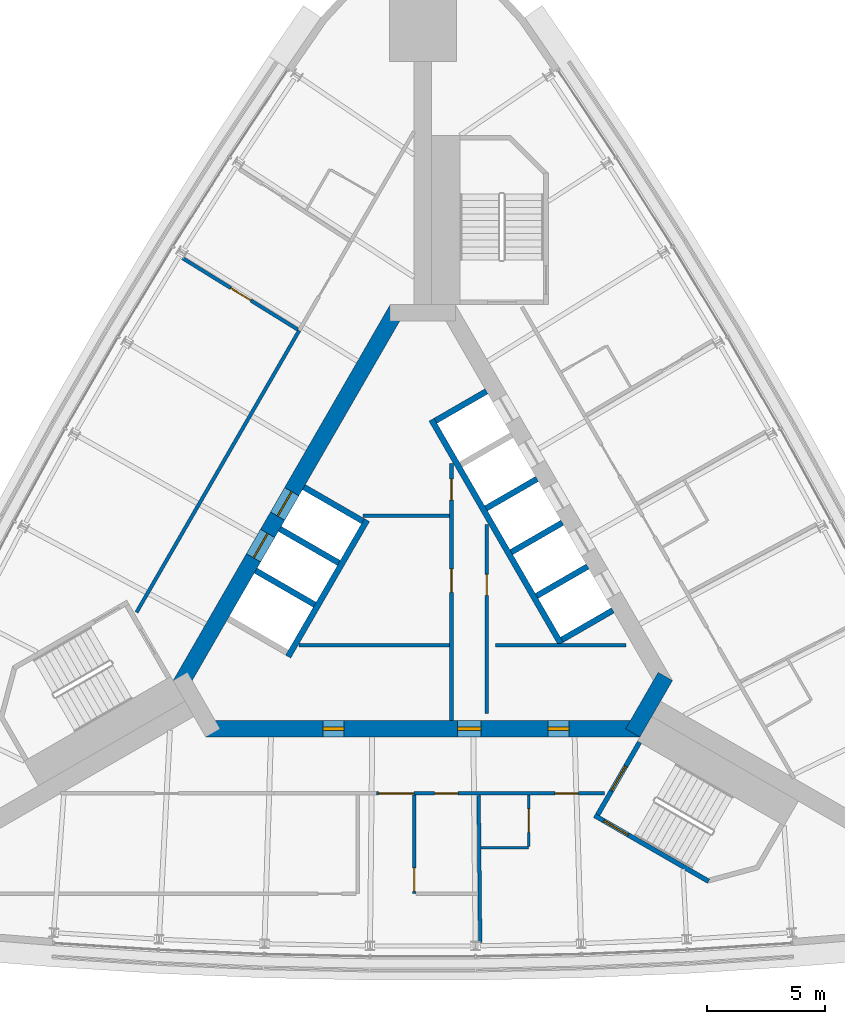
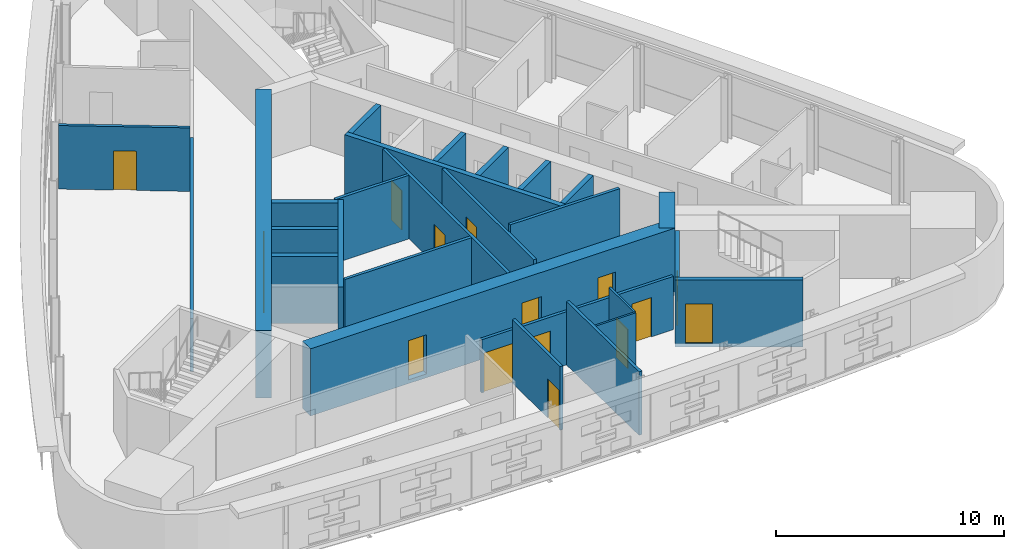
# One storey, part 8 of 12: 27 walls, 16 doors, 16 openings.
"""IFC4 building model written with IfcOpenShell, lengths in metres."""

from ifc_helpers import new_model, si_unit, direction, frame, frame_2d, origin, place, context, subcontext, project, spatial, rectangle, extrude, material, layer, layer_set, type_object, element, fill, save


model = new_model("IFC4")

# Units and contexts
model_context = context("Model", 3, precision=1e-05, world=origin(), true_north=direction((0.0, 1.0)))
body_context = subcontext(model_context, "Body", "Model", "MODEL_VIEW")
ifc_project = project(units=[si_unit("LENGTHUNIT", "METRE"), si_unit("AREAUNIT", "SQUARE_METRE"), si_unit("VOLUMEUNIT", "CUBIC_METRE"), si_unit("PLANEANGLEUNIT", "RADIAN"), si_unit("MASSUNIT", "GRAM", prefix="KILO")], contexts=[model_context])

# Site, building, storey
site_placement = place(None, origin())
site = spatial("IfcSite", under=ifc_project, at=site_placement, CompositionType="ELEMENT")
building_placement = place(site_placement, origin())
building = spatial("IfcBuilding", under=site, at=building_placement, Name="Noor Cloister Tower", CompositionType="ELEMENT")
storey_placement = place(building_placement, frame((0.0, 0.0, 161.699951171875)))
storey = spatial("IfcBuildingStorey", under=building, at=storey_placement, Name="L41", CompositionType="ELEMENT", Elevation=161.699951171875)

# Walls
ifc_material_1 = material(Name="Concrete C30/37", Category="concrete")
ifc_layer_1 = layer(ifc_material_1, 0.14990234375)
ifc_layer_set_1 = layer_set([ifc_layer_1], Name="Core partition 150 C30/37")
wall_type_1 = type_object("IfcWallType", Name="Core partition 150 C30/37", PredefinedType="PARTITIONING", material=ifc_layer_set_1)
wall_1_placement = place(storey_placement, frame((-5.2578125, -3.0283203125, 0.0), z_axis=(0.0, 0.0, 1.0), x_axis=(1.0, 0.0, 0.0)))
element("IfcWall", 1, at=wall_1_placement, inside=storey, type_object=wall_type_1, Name="Core room partition L41 1", PredefinedType="PARTITIONING", context=body_context, shape_type="SweptSolid", body=[
    extrude(rectangle(XDim=6.404052734375, YDim=0.14990234375, at=frame_2d((3.2021484375, 0.0))), origin(), (0.0, 0.0, 1.0), 3.400146484375),
])
wall_2_placement = place(storey_placement, frame((-2.55126953125, 2.4716796875, 0.0), z_axis=(0.0, 0.0, 1.0), x_axis=(1.0, 0.0, 0.0)))
element("IfcWall", 2, at=wall_2_placement, inside=storey, type_object=wall_type_1, Name="Core room partition L41 2", PredefinedType="PARTITIONING", context=body_context, shape_type="SweptSolid", body=[
    extrude(rectangle(XDim=3.697509765625, YDim=0.14990234375, at=frame_2d((1.8486328125, 0.0))), origin(), (0.0, 0.0, 1.0), 3.400146484375),
])

# Wall, openings, doors
wall_3_placement = place(storey_placement, frame((1.22119140625, 4.711181640625, 0.0), z_axis=(0.0, 0.0, 1.0), x_axis=(0.0, -1.0, 0.0)))
wall_3 = element("IfcWall", 3, at=wall_3_placement, inside=storey, type_object=wall_type_1, Name="Core room partition L41 3", PredefinedType="PARTITIONING", context=body_context, shape_type="SweptSolid", body=[
    extrude(rectangle(XDim=10.939453125, YDim=0.14990234375, at=frame_2d((5.4697265625, 0.0))), origin(), (0.0, 0.0, 1.0), 3.400146484375),
])
opening_1_placement = place(wall_3_placement, frame((4.4892578125, 0.0, 0.0)))
opening_1 = element("IfcOpeningElement", 4, at=opening_1_placement, cuts=wall_3, Name="Opening L41-904", PredefinedType="OPENING", context=body_context, shape_type="SweptSolid", body=[
    extrude(rectangle(XDim=1.0, YDim=2.10009765625, at=frame_2d((0.5, 1.050048828125))), frame((0.0, 0.0849609375, 0.0), z_axis=(0.0, -1.0, 0.0), x_axis=(1.0, 0.0, 0.0)), (0.0, 0.0, 1.0), 0.169921875),
])
opening_2_placement = place(wall_3_placement, frame((0.670654296875, 0.0, 0.0)))
opening_2 = element("IfcOpeningElement", 5, at=opening_2_placement, cuts=wall_3, Name="Opening L41-906", PredefinedType="OPENING", context=body_context, shape_type="SweptSolid", body=[
    extrude(rectangle(XDim=0.89990234375, YDim=2.10009765625, at=frame_2d((0.449951171875, 1.050048828125))), frame((0.0, 0.0849609375, 0.0), z_axis=(0.0, -1.0, 0.0), x_axis=(1.0, 0.0, 0.0)), (0.0, 0.0, 1.0), 0.169921875),
])
ifc_material_2 = material(Name="Steel", Category="steel")
door_type_1 = type_object("IfcDoorType", Name="Core door 1000 x 2100 FD60", OperationType="SINGLE_SWING_LEFT", PredefinedType="DOOR", material=ifc_material_2)
door_1_placement = place(opening_1_placement, origin())
door_1 = element("IfcDoor", 6, at=door_1_placement, inside=storey, type_object=door_type_1, Name="Core door 4 L41", OperationType="SINGLE_SWING_RIGHT", OverallHeight=2.10009765625, OverallWidth=1.0, PredefinedType="DOOR", context=body_context, shape_type="SweptSolid", body=[
    extrude(rectangle(XDim=1.0, YDim=2.10009765625, at=frame_2d((0.5, 1.050048828125))), frame((0.0, 0.02490234375, 0.0), z_axis=(0.0, -1.0, 0.0), x_axis=(1.0, 0.0, 0.0)), (0.0, 0.0, 1.0), 0.050048828125),
])
fill(opening_1, door_1)
ifc_material_3 = material(Name="Steel", Category="steel")
door_type_2 = type_object("IfcDoorType", Name="Core door 900 x 2100 FD120", OperationType="SINGLE_SWING_LEFT", PredefinedType="DOOR", material=ifc_material_3)
door_2_placement = place(opening_2_placement, origin())
door_2 = element("IfcDoor", 7, at=door_2_placement, inside=storey, type_object=door_type_2, Name="Core door 6 L41", OperationType="SINGLE_SWING_RIGHT", OverallHeight=2.10009765625, OverallWidth=0.89990234375, PredefinedType="DOOR", context=body_context, shape_type="SweptSolid", body=[
    extrude(rectangle(XDim=0.89990234375, YDim=2.10009765625, at=frame_2d((0.449951171875, 1.050048828125))), frame((0.0, 0.02490234375, 0.0), z_axis=(0.0, -1.0, 0.0), x_axis=(1.0, 0.0, 0.0)), (0.0, 0.0, 1.0), 0.050048828125),
])
fill(opening_2, door_2)

# Wall, opening, door
wall_4_placement = place(storey_placement, frame((2.72119140625, -5.92822265625, 0.0), z_axis=(0.0, 0.0, 1.0), x_axis=(0.0, 1.0, 0.0)))
wall_4 = element("IfcWall", 8, at=wall_4_placement, inside=storey, type_object=wall_type_1, Name="Core room partition L41 4", PredefinedType="PARTITIONING", context=body_context, shape_type="SweptSolid", body=[
    extrude(rectangle(XDim=8.041259765625, YDim=0.14990234375, at=frame_2d((4.0205078125, 0.0))), origin(), (0.0, 0.0, 1.0), 3.400146484375),
])
opening_3_placement = place(wall_4_placement, frame((5.01953125, 0.0, 0.0)))
opening_3 = element("IfcOpeningElement", 9, at=opening_3_placement, cuts=wall_4, Name="Opening L41-905", PredefinedType="OPENING", context=body_context, shape_type="SweptSolid", body=[
    extrude(rectangle(XDim=0.89990234375, YDim=2.10009765625, at=frame_2d((0.449951171875, 1.050048828125))), frame((0.0, 0.0849609375, 0.0), z_axis=(0.0, -1.0, 0.0), x_axis=(1.0, 0.0, 0.0)), (0.0, 0.0, 1.0), 0.169921875),
])
ifc_material_4 = material(Name="Steel", Category="steel")
door_type_3 = type_object("IfcDoorType", Name="Core door 900 x 2100 FD60", OperationType="SINGLE_SWING_LEFT", PredefinedType="DOOR", material=ifc_material_4)
door_3_placement = place(opening_3_placement, origin())
door_3 = element("IfcDoor", 10, at=door_3_placement, inside=storey, type_object=door_type_3, Name="Core door 5 L41", OperationType="SINGLE_SWING_LEFT", OverallHeight=2.10009765625, OverallWidth=0.89990234375, PredefinedType="DOOR", context=body_context, shape_type="SweptSolid", body=[
    extrude(rectangle(XDim=0.89990234375, YDim=2.10009765625, at=frame_2d((0.449951171875, 1.050048828125))), frame((0.0, 0.02490234375, 0.0), z_axis=(0.0, -1.0, 0.0), x_axis=(1.0, 0.0, 0.0)), (0.0, 0.0, 1.0), 0.050048828125),
])
fill(opening_3, door_3)

# Wall
wall_5_placement = place(storey_placement, frame((3.09619140625, -3.0283203125, 0.0), z_axis=(0.0, 0.0, 1.0), x_axis=(1.0, 0.0, 0.0)))
element("IfcWall", 11, at=wall_5_placement, inside=storey, type_object=wall_type_1, Name="Core room partition L41 5", PredefinedType="PARTITIONING", context=body_context, shape_type="SweptSolid", body=[
    extrude(rectangle(XDim=5.543701171875, YDim=0.14990234375, at=frame_2d((2.77197265625, 0.0))), origin(), (0.0, 0.0, 1.0), 3.400146484375),
])

# Wall, openings, doors
ifc_material_5 = material(Name="Concrete C70/85", Category="concrete")
ifc_layer_2 = layer(ifc_material_5, 0.699951171875)
ifc_layer_set_2 = layer_set([ifc_layer_2], Name="Core wall 700 C70/85")
wall_type_2 = type_object("IfcWallType", Name="Core wall 700 C70/85", PredefinedType="SHEAR", material=ifc_layer_set_2)
wall_6_placement = place(storey_placement, frame((-9.228759765625, -6.578125, -0.199951171875), z_axis=(0.0, 0.0, 1.0), x_axis=(1.0, 0.0, 0.0)))
wall_6 = element("IfcWall", 12, at=wall_6_placement, inside=storey, type_object=wall_type_2, Name="Core wall L41 1", PredefinedType="SHEAR", context=body_context, shape_type="SweptSolid", body=[
    extrude(rectangle(XDim=18.45751953125, YDim=0.699951171875, at=frame_2d((9.228759765625, 0.0))), origin(), (0.0, 0.0, 1.0), 3.60009765625),
])
opening_4_placement = place(wall_6_placement, frame((10.699951171875, 0.0, 0.199951171875)))
opening_4 = element("IfcOpeningElement", 13, at=opening_4_placement, cuts=wall_6, Name="Opening L41-901", PredefinedType="OPENING", context=body_context, shape_type="SweptSolid", body=[
    extrude(rectangle(XDim=1.0, YDim=2.10009765625, at=frame_2d((0.5, 1.050048828125))), frame((0.0, 0.35986328125, 0.0), z_axis=(0.0, -1.0, 0.0), x_axis=(1.0, 0.0, 0.0)), (0.0, 0.0, 1.0), 0.719970703125),
])
opening_5_placement = place(wall_6_placement, frame((4.97705078125, 0.0, 0.199951171875)))
opening_5 = element("IfcOpeningElement", 14, at=opening_5_placement, cuts=wall_6, Name="Opening L41-902", PredefinedType="OPENING", context=body_context, shape_type="SweptSolid", body=[
    extrude(rectangle(XDim=0.89990234375, YDim=2.10009765625, at=frame_2d((0.449951171875, 1.050048828125))), frame((0.0, 0.35986328125, 0.0), z_axis=(0.0, -1.0, 0.0), x_axis=(1.0, 0.0, 0.0)), (0.0, 0.0, 1.0), 0.719970703125),
])
opening_6_placement = place(wall_6_placement, frame((14.551513671875, 0.0, 0.199951171875)))
opening_6 = element("IfcOpeningElement", 15, at=opening_6_placement, cuts=wall_6, Name="Opening L41-903", PredefinedType="OPENING", context=body_context, shape_type="SweptSolid", body=[
    extrude(rectangle(XDim=0.89990234375, YDim=2.10009765625, at=frame_2d((0.449951171875, 1.050048828125))), frame((0.0, 0.35986328125, 0.0), z_axis=(0.0, -1.0, 0.0), x_axis=(1.0, 0.0, 0.0)), (0.0, 0.0, 1.0), 0.719970703125),
])
ifc_material_6 = material(Name="Steel", Category="steel")
door_type_4 = type_object("IfcDoorType", Name="Core door 1000 x 2100 FD120", OperationType="SINGLE_SWING_LEFT", PredefinedType="DOOR", material=ifc_material_6)
door_4_placement = place(opening_4_placement, origin())
door_4 = element("IfcDoor", 16, at=door_4_placement, inside=storey, type_object=door_type_4, Name="Core door 1 L41", OperationType="SINGLE_SWING_LEFT", OverallHeight=2.10009765625, OverallWidth=1.0, PredefinedType="DOOR", context=body_context, shape_type="SweptSolid", body=[
    extrude(rectangle(XDim=1.0, YDim=2.10009765625, at=frame_2d((0.5, 1.050048828125))), frame((0.0, 0.074951171875, 0.0), z_axis=(0.0, -1.0, 0.0), x_axis=(1.0, 0.0, 0.0)), (0.0, 0.0, 1.0), 0.14990234375),
])
fill(opening_4, door_4)
door_5_placement = place(opening_5_placement, origin())
door_5 = element("IfcDoor", 17, at=door_5_placement, inside=storey, type_object=door_type_2, Name="Core door 2 L41", OperationType="SINGLE_SWING_RIGHT", OverallHeight=2.10009765625, OverallWidth=0.89990234375, PredefinedType="DOOR", context=body_context, shape_type="SweptSolid", body=[
    extrude(rectangle(XDim=0.89990234375, YDim=2.10009765625, at=frame_2d((0.449951171875, 1.050048828125))), frame((0.0, 0.074951171875, 0.0), z_axis=(0.0, -1.0, 0.0), x_axis=(1.0, 0.0, 0.0)), (0.0, 0.0, 1.0), 0.14990234375),
])
fill(opening_5, door_5)
door_6_placement = place(opening_6_placement, origin())
door_6 = element("IfcDoor", 18, at=door_6_placement, inside=storey, type_object=door_type_2, Name="Core door 3 L41", OperationType="SINGLE_SWING_LEFT", OverallHeight=2.10009765625, OverallWidth=0.89990234375, PredefinedType="DOOR", context=body_context, shape_type="SweptSolid", body=[
    extrude(rectangle(XDim=0.89990234375, YDim=2.10009765625, at=frame_2d((0.449951171875, 1.050048828125))), frame((0.0, 0.074951171875, 0.0), z_axis=(0.0, -1.0, 0.0), x_axis=(1.0, 0.0, 0.0)), (0.0, 0.0, 1.0), 0.14990234375),
])
fill(opening_6, door_6)

# Wall
wall_7_placement = place(storey_placement, frame((8.925537109375, -6.753173828125, -0.199951171875), z_axis=(0.0, 0.0, 1.0), x_axis=(0.500042739161, 0.866000726912, 0.0)))
element("IfcWall", 19, at=wall_7_placement, inside=storey, type_object=wall_type_2, Name="Core wall L41 2", PredefinedType="SHEAR", context=body_context, shape_type="SweptSolid", body=[
    extrude(rectangle(XDim=2.771240234375, YDim=0.699951171875, at=frame_2d((1.3857421875, 0.0))), origin(), (0.0, 0.0, 1.0), 3.60009765625),
])

# Wall, openings, doors
wall_8_placement = place(storey_placement, frame((-1.08251953125, 11.281494140625, -0.199951171875), z_axis=(0.0, 0.0, 1.0), x_axis=(-0.500001446645, -0.866024568562, 0.0)))
wall_8 = element("IfcWall", 20, at=wall_8_placement, inside=storey, type_object=wall_type_2, Name="Core wall L41 5", PredefinedType="SHEAR", context=body_context, shape_type="SweptSolid", body=[
    extrude(rectangle(XDim=18.45751953125, YDim=0.699951171875, at=frame_2d((9.228759765625, 0.0))), origin(), (0.0, 0.0, 1.0), 3.60009765625),
])
opening_7_placement = place(wall_8_placement, frame((8.978759765625, 0.0, 0.199951171875)))
opening_7 = element("IfcOpeningElement", 21, at=opening_7_placement, cuts=wall_8, Name="Opening L41-FF1", PredefinedType="OPENING", context=body_context, shape_type="SweptSolid", body=[
    extrude(rectangle(XDim=1.199951171875, YDim=2.10009765625, at=frame_2d((0.60009765625, 1.050048828125))), frame((0.0, 0.35986328125, 0.0), z_axis=(0.0, -1.0, 0.0), x_axis=(1.0, 0.0, 0.0)), (0.0, 0.0, 1.0), 0.719970703125),
])
opening_8_placement = place(wall_8_placement, frame((11.02880859375, 0.0, 0.199951171875)))
opening_8 = element("IfcOpeningElement", 22, at=opening_8_placement, cuts=wall_8, Name="Opening L41-FF2", PredefinedType="OPENING", context=body_context, shape_type="SweptSolid", body=[
    extrude(rectangle(XDim=1.199951171875, YDim=2.10009765625, at=frame_2d((0.60009765625, 1.050048828125))), frame((0.0, 0.35986328125, 0.0), z_axis=(0.0, -1.0, 0.0), x_axis=(1.0, 0.0, 0.0)), (0.0, 0.0, 1.0), 0.719970703125),
])
ifc_material_7 = material(Name="Stainless steel", Category="steel")
door_type_5 = type_object("IfcDoorType", Name="Lift landing door 1200 x 2100", OperationType="DOUBLE_DOOR_SLIDING", PredefinedType="DOOR", material=ifc_material_7)
door_7_placement = place(opening_7_placement, origin())
door_7 = element("IfcDoor", 23, at=door_7_placement, inside=storey, type_object=door_type_5, Name="Landing door FF1 L41", OperationType="DOUBLE_DOOR_SLIDING", OverallHeight=2.10009765625, OverallWidth=1.199951171875, PredefinedType="DOOR", context=body_context, shape_type="SweptSolid", body=[
    extrude(rectangle(XDim=1.199951171875, YDim=2.10009765625, at=frame_2d((0.60009765625, 1.050048828125))), frame((0.0, 0.02490234375, 0.0), z_axis=(0.0, -1.0, 0.0), x_axis=(1.0, 0.0, 0.0)), (0.0, 0.0, 1.0), 0.050048828125),
])
fill(opening_7, door_7)
door_8_placement = place(opening_8_placement, origin())
door_8 = element("IfcDoor", 24, at=door_8_placement, inside=storey, type_object=door_type_5, Name="Landing door FF2 L41", OperationType="DOUBLE_DOOR_SLIDING", OverallHeight=2.10009765625, OverallWidth=1.199951171875, PredefinedType="DOOR", context=body_context, shape_type="SweptSolid", body=[
    extrude(rectangle(XDim=1.199951171875, YDim=2.10009765625, at=frame_2d((0.60009765625, 1.050048828125))), frame((0.0, 0.02490234375, 0.0), z_axis=(0.0, -1.0, 0.0), x_axis=(1.0, 0.0, 0.0)), (0.0, 0.0, 1.0), 0.050048828125),
])
fill(opening_8, door_8)

# Wall
ifc_material_8 = material(Name="Fire-rated gypsum board partition on steel studs, 150 mm", Category="steel")
ifc_layer_3 = layer(ifc_material_8, 0.14990234375)
ifc_layer_set_3 = layer_set([ifc_layer_3], Name="Fire lobby wall 150")
wall_type_3 = type_object("IfcWallType", Name="Fire lobby wall 150", PredefinedType="PARTITIONING", material=ifc_layer_set_3)
wall_9_placement = place(storey_placement, frame((-5.253173828125, 10.357666015625, 0.0), z_axis=(0.0, 0.0, 1.0), x_axis=(-0.49999425657, -0.86602871973, 0.0)))
element("IfcWall", 25, at=wall_9_placement, inside=storey, type_object=wall_type_3, Name="Wall L41-W25", PredefinedType="PARTITIONING", context=body_context, shape_type="SweptSolid", body=[
    extrude(rectangle(XDim=13.840087890625, YDim=0.14990234375, at=frame_2d((6.919921875, 0.0))), origin(), (0.0, 0.0, 1.0), 2.84716796875),
])

# Wall, openings, doors
ifc_material_9 = material(Name="Gypsum board partition on steel studs, 150 mm", Category="steel")
ifc_layer_4 = layer(ifc_material_9, 0.14990234375)
ifc_layer_set_4 = layer_set([ifc_layer_4], Name="Flat wall 150")
wall_type_4 = type_object("IfcWallType", Name="Flat wall 150", PredefinedType="PARTITIONING", material=ifc_layer_set_4)
wall_10_placement = place(storey_placement, frame((-1.976318359375, -9.328125, 0.0), z_axis=(0.0, 0.0, 1.0), x_axis=(1.0, 0.0, 0.0)))
wall_10 = element("IfcWall", 26, at=wall_10_placement, inside=storey, type_object=wall_type_4, Name="Wall L41-W15", PredefinedType="PARTITIONING", context=body_context, shape_type="SweptSolid", body=[
    extrude(rectangle(XDim=9.703857421875, YDim=0.14990234375, at=frame_2d((4.85205078125, 0.0))), origin(), (0.0, 0.0, 1.0), 2.84716796875),
])
opening_9_placement = place(wall_10_placement, frame((0.10009765625, 0.0, 0.0)))
opening_9 = element("IfcOpeningElement", 27, at=opening_9_placement, cuts=wall_10, Name="Opening L41-009", PredefinedType="OPENING", context=body_context, shape_type="SweptSolid", body=[
    extrude(rectangle(XDim=1.5, YDim=2.10009765625, at=frame_2d((0.75, 1.050048828125))), frame((0.0, 0.0849609375, 0.0), z_axis=(0.0, -1.0, 0.0), x_axis=(1.0, 0.0, 0.0)), (0.0, 0.0, 1.0), 0.169921875),
])
opening_10_placement = place(wall_10_placement, frame((2.483642578125, 0.0, 0.0)))
opening_10 = element("IfcOpeningElement", 28, at=opening_10_placement, cuts=wall_10, Name="Opening L41-013", PredefinedType="OPENING", context=body_context, shape_type="SweptSolid", body=[
    extrude(rectangle(XDim=1.0, YDim=2.10009765625, at=frame_2d((0.5, 1.050048828125))), frame((0.0, 0.0849609375, 0.0), z_axis=(0.0, -1.0, 0.0), x_axis=(1.0, 0.0, 0.0)), (0.0, 0.0, 1.0), 0.169921875),
])
opening_11_placement = place(wall_10_placement, frame((7.59033203125, 0.0, 0.0)))
opening_11 = element("IfcOpeningElement", 29, at=opening_11_placement, cuts=wall_10, Name="Opening L41-015", PredefinedType="OPENING", context=body_context, shape_type="SweptSolid", body=[
    extrude(rectangle(XDim=1.0, YDim=2.10009765625, at=frame_2d((0.5, 1.050048828125))), frame((0.0, 0.0849609375, 0.0), z_axis=(0.0, -1.0, 0.0), x_axis=(1.0, 0.0, 0.0)), (0.0, 0.0, 1.0), 0.169921875),
])
ifc_material_10 = material(Name="Timber door leaf with steel frame", Category="steel")
door_type_6 = type_object("IfcDoorType", Name="Double door 1500 FD60", OperationType="NOTDEFINED", PredefinedType="DOOR", material=ifc_material_10)
door_9_placement = place(opening_9_placement, origin())
door_9 = element("IfcDoor", 30, at=door_9_placement, inside=storey, type_object=door_type_6, Name="Door L41-009", OperationType="DOUBLE_DOOR_SINGLE_SWING", OverallHeight=2.10009765625, OverallWidth=1.5, PredefinedType="DOOR", context=body_context, shape_type="SweptSolid", body=[
    extrude(rectangle(XDim=1.5, YDim=2.10009765625, at=frame_2d((0.75, 1.050048828125))), frame((0.0, 0.02490234375, 0.0), z_axis=(0.0, -1.0, 0.0), x_axis=(1.0, 0.0, 0.0)), (0.0, 0.0, 1.0), 0.050048828125),
])
fill(opening_9, door_9)
ifc_material_11 = material(Name="Timber door leaf with steel frame", Category="steel")
door_type_7 = type_object("IfcDoorType", Name="Flat entrance door 1000", OperationType="NOTDEFINED", PredefinedType="DOOR", material=ifc_material_11)
door_10_placement = place(opening_11_placement, origin())
door_10 = element("IfcDoor", 31, at=door_10_placement, inside=storey, type_object=door_type_7, Name="Door L41-015", OperationType="SINGLE_SWING_LEFT", OverallHeight=2.10009765625, OverallWidth=1.0, PredefinedType="DOOR", context=body_context, shape_type="SweptSolid", body=[
    extrude(rectangle(XDim=1.0, YDim=2.10009765625, at=frame_2d((0.5, 1.050048828125))), frame((0.0, 0.02490234375, 0.0), z_axis=(0.0, -1.0, 0.0), x_axis=(1.0, 0.0, 0.0)), (0.0, 0.0, 1.0), 0.050048828125),
])
fill(opening_11, door_10)
ifc_material_12 = material(Name="Timber door leaf with steel frame", Category="steel")
door_type_8 = type_object("IfcDoorType", Name="Interior door 1000 FD60", OperationType="NOTDEFINED", PredefinedType="DOOR", material=ifc_material_12)
door_11_placement = place(opening_10_placement, origin())
door_11 = element("IfcDoor", 32, at=door_11_placement, inside=storey, type_object=door_type_8, Name="Door L41-013", OperationType="SINGLE_SWING_LEFT", OverallHeight=2.10009765625, OverallWidth=1.0, PredefinedType="DOOR", context=body_context, shape_type="SweptSolid", body=[
    extrude(rectangle(XDim=1.0, YDim=2.10009765625, at=frame_2d((0.5, 1.050048828125))), frame((0.0, 0.02490234375, 0.0), z_axis=(0.0, -1.0, 0.0), x_axis=(1.0, 0.0, 0.0)), (0.0, 0.0, 1.0), 0.050048828125),
])
fill(opening_10, door_11)

# Wall
wall_11_placement = place(storey_placement, frame((2.442626953125, -15.654541015625, 0.0), z_axis=(0.0, 0.0, 1.0), x_axis=(-0.010466132445, 0.999945228536, 0.0)))
element("IfcWall", 33, at=wall_11_placement, inside=storey, type_object=wall_type_4, Name="Wall L41-W17", PredefinedType="PARTITIONING", context=body_context, shape_type="SweptSolid", body=[
    extrude(rectangle(XDim=6.25146484375, YDim=0.14990234375, at=frame_2d((3.125732421875, 0.0))), origin(), (0.0, 0.0, 1.0), 3.400146484375),
])

# Wall, opening, door
wall_12_placement = place(storey_placement, frame((-0.36181640625, -9.4033203125, 0.0), z_axis=(0.0, 0.0, 1.0), x_axis=(0.0, -1.0, 0.0)))
wall_12 = element("IfcWall", 34, at=wall_12_placement, inside=storey, type_object=wall_type_4, Name="Wall L41-W19", PredefinedType="PARTITIONING", context=body_context, shape_type="SweptSolid", body=[
    extrude(rectangle(XDim=4.18310546875, YDim=0.14990234375, at=frame_2d((2.091552734375, 0.0))), origin(), (0.0, 0.0, 1.0), 3.400146484375),
])
opening_12_placement = place(wall_12_placement, frame((3.083251953125, 0.0, 0.0)))
opening_12 = element("IfcOpeningElement", 35, at=opening_12_placement, cuts=wall_12, Name="Opening L41-012", PredefinedType="OPENING", context=body_context, shape_type="SweptSolid", body=[
    extrude(rectangle(XDim=1.0, YDim=2.10009765625, at=frame_2d((0.5, 1.050048828125))), frame((0.0, 0.0849609375, 0.0), z_axis=(0.0, -1.0, 0.0), x_axis=(1.0, 0.0, 0.0)), (0.0, 0.0, 1.0), 0.169921875),
])
door_12_placement = place(opening_12_placement, origin())
door_12 = element("IfcDoor", 36, at=door_12_placement, inside=storey, type_object=door_type_8, Name="Door L41-012", OperationType="SINGLE_SWING_RIGHT", OverallHeight=2.10009765625, OverallWidth=1.0, PredefinedType="DOOR", context=body_context, shape_type="SweptSolid", body=[
    extrude(rectangle(XDim=1.0, YDim=2.10009765625, at=frame_2d((0.5, 1.050048828125))), frame((0.0, 0.02490234375, 0.0), z_axis=(0.0, -1.0, 0.0), x_axis=(1.0, 0.0, 0.0)), (0.0, 0.0, 1.0), 0.050048828125),
])
fill(opening_12, door_12)

wall_13_placement = place(storey_placement, frame((-10.2197265625, 13.43701171875, 0.0), z_axis=(0.0, 0.0, 1.0), x_axis=(0.849899659129, -0.526944560094, 0.0)))
wall_13 = element("IfcWall", 37, at=wall_13_placement, inside=storey, type_object=wall_type_4, Name="Wall L41-W27", PredefinedType="PARTITIONING", context=body_context, shape_type="SweptSolid", body=[
    extrude(rectangle(XDim=5.768798828125, YDim=0.14990234375, at=frame_2d((2.88427734375, 0.0))), origin(), (0.0, 0.0, 1.0), 3.400146484375),
])
opening_13_placement = place(wall_13_placement, frame((2.421875, 0.0, 0.0)))
opening_13 = element("IfcOpeningElement", 38, at=opening_13_placement, cuts=wall_13, Name="Opening L41-019", PredefinedType="OPENING", context=body_context, shape_type="SweptSolid", body=[
    extrude(rectangle(XDim=1.0, YDim=2.10009765625, at=frame_2d((0.5, 1.050048828125))), frame((0.0, 0.0849609375, 0.0), z_axis=(0.0, -1.0, 0.0), x_axis=(1.0, 0.0, 0.0)), (0.0, 0.0, 1.0), 0.169921875),
])
door_13_placement = place(opening_13_placement, origin())
door_13 = element("IfcDoor", 39, at=door_13_placement, inside=storey, type_object=door_type_8, Name="Door L41-019", OperationType="SINGLE_SWING_LEFT", OverallHeight=2.10009765625, OverallWidth=1.0, PredefinedType="DOOR", context=body_context, shape_type="SweptSolid", body=[
    extrude(rectangle(XDim=1.0, YDim=2.10009765625, at=frame_2d((0.5, 1.050048828125))), frame((0.0, 0.02490234375, 0.0), z_axis=(0.0, -1.0, 0.0), x_axis=(1.0, 0.0, 0.0)), (0.0, 0.0, 1.0), 0.050048828125),
])
fill(opening_13, door_13)

# Wall
ifc_material_13 = material(Name="Gypsum board partition on steel studs, 100 mm", Category="steel")
ifc_layer_5 = layer(ifc_material_13, 0.10009765625)
ifc_layer_set_5 = layer_set([ifc_layer_5], Name="Partition 100")
wall_type_5 = type_object("IfcWallType", Name="Partition 100", PredefinedType="PARTITIONING", material=ifc_layer_set_5)
wall_14_placement = place(storey_placement, frame((2.475341796875, -11.628173828125, 0.0), z_axis=(0.0, 0.0, 1.0), x_axis=(1.0, 0.0, 0.0)))
element("IfcWall", 40, at=wall_14_placement, inside=storey, type_object=wall_type_5, Name="Wall L41-W22", PredefinedType="PARTITIONING", context=body_context, shape_type="SweptSolid", body=[
    extrude(rectangle(XDim=2.025146484375, YDim=0.10009765625, at=frame_2d((1.0126953125, 0.0))), origin(), (0.0, 0.0, 1.0), 3.400146484375),
])

# Wall, opening, door
wall_15_placement = place(storey_placement, frame((4.50048828125, -11.578125, 0.0), z_axis=(0.0, 0.0, 1.0), x_axis=(0.0, 1.0, 0.0)))
wall_15 = element("IfcWall", 41, at=wall_15_placement, inside=storey, type_object=wall_type_5, Name="Wall L41-W23", PredefinedType="PARTITIONING", context=body_context, shape_type="SweptSolid", body=[
    extrude(rectangle(XDim=2.1748046875, YDim=0.10009765625, at=frame_2d((1.08740234375, 0.0))), origin(), (0.0, 0.0, 1.0), 3.400146484375),
])
opening_14_placement = place(wall_15_placement, frame((0.60009765625, 0.0, 0.0)))
opening_14 = element("IfcOpeningElement", 42, at=opening_14_placement, cuts=wall_15, Name="Opening L41-014", PredefinedType="OPENING", context=body_context, shape_type="SweptSolid", body=[
    extrude(rectangle(XDim=1.0, YDim=2.10009765625, at=frame_2d((0.5, 1.050048828125))), frame((0.0, 0.06005859375, 0.0), z_axis=(0.0, -1.0, 0.0), x_axis=(1.0, 0.0, 0.0)), (0.0, 0.0, 1.0), 0.1201171875),
])
ifc_material_14 = material(Name="Timber door leaf with steel frame", Category="steel")
door_type_9 = type_object("IfcDoorType", Name="Interior door 1000", OperationType="NOTDEFINED", PredefinedType="DOOR", material=ifc_material_14)
door_14_placement = place(opening_14_placement, origin())
door_14 = element("IfcDoor", 43, at=door_14_placement, inside=storey, type_object=door_type_9, Name="Door L41-014", OperationType="SINGLE_SWING_RIGHT", OverallHeight=2.10009765625, OverallWidth=1.0, PredefinedType="DOOR", context=body_context, shape_type="SweptSolid", body=[
    extrude(rectangle(XDim=1.0, YDim=2.10009765625, at=frame_2d((0.5, 1.050048828125))), frame((0.0, 0.02490234375, 0.0), z_axis=(0.0, -1.0, 0.0), x_axis=(1.0, 0.0, 0.0)), (0.0, 0.0, 1.0), 0.050048828125),
])
fill(opening_14, door_14)

# Walls
ifc_material_15 = material(Name="Concrete C70/85", Category="concrete")
ifc_layer_6 = layer(ifc_material_15, 0.25)
ifc_layer_set_6 = layer_set([ifc_layer_6], Name="Shaft wall 250 C70/85")
wall_type_6 = type_object("IfcWallType", Name="Shaft wall 250 C70/85", PredefinedType="PARTITIONING", material=ifc_layer_set_6)
for number, where, z_axis, x_axis, name in (
    (44, (8.081298828125, -1.540771484375, -0.199951171875), (0.0, 0.0, 1.0), (-0.866022959057, -0.500004234368, 0.0), "Lift shaft wall L41 NE 1"),
    (45, (7.00634765625, 0.3212890625, -0.199951171875), (0.0, 0.0, 1.0), (-0.866022959057, -0.500004234368, 0.0), "Lift shaft wall L41 NE 2"),
):
    element("IfcWall", number, at=place(storey_placement, frame(where, z_axis=z_axis, x_axis=x_axis)), inside=storey, type_object=wall_type_6, Name=name, PredefinedType="PARTITIONING", context=body_context, shape_type="SweptSolid", body=[
        extrude(rectangle(XDim=2.5, YDim=0.25, at=frame_2d((1.25, 0.0))), origin(), (0.0, 0.0, 1.0), 3.60009765625),
    ])
wall_16_placement = place(storey_placement, frame((5.931396484375, 2.18310546875, -0.199951171875), z_axis=(0.0, 0.0, 1.0), x_axis=(-0.866047370643, -0.499961950354, 0.0)))
element("IfcWall", 46, at=wall_16_placement, inside=storey, type_object=wall_type_6, Name="Lift shaft wall L41 NE 3", PredefinedType="PARTITIONING", context=body_context, shape_type="SweptSolid", body=[
    extrude(rectangle(XDim=2.500244140625, YDim=0.25, at=frame_2d((1.25, 0.0))), origin(), (0.0, 0.0, 1.0), 3.60009765625),
])
for number, where, z_axis, x_axis, name in (
    (47, (4.856201171875, 4.045166015625, -0.199951171875), (0.0, 0.0, 1.0), (-0.866022959057, -0.500004234368, 0.0), "Lift shaft wall L41 NE 4"),
    (48, (2.706298828125, 7.76904296875, -0.199951171875), (0.0, 0.0, 1.0), (-0.866022959057, -0.500004234368, 0.0), "Lift shaft wall L41 NE 6"),
):
    element("IfcWall", number, at=place(storey_placement, frame(where, z_axis=z_axis, x_axis=x_axis)), inside=storey, type_object=wall_type_6, Name=name, PredefinedType="PARTITIONING", context=body_context, shape_type="SweptSolid", body=[
        extrude(rectangle(XDim=2.5, YDim=0.25, at=frame_2d((1.25, 0.0))), origin(), (0.0, 0.0, 1.0), 3.60009765625),
    ])
wall_17_placement = place(storey_placement, frame((5.870361328125, -2.96142578125, 0.0), z_axis=(0.0, 0.0, 1.0), x_axis=(-0.50000615651, 0.866021849293, 0.0)))
element("IfcWall", 49, at=wall_17_placement, inside=storey, type_object=wall_type_6, Name="Lift shaft back wall L41 NE", PredefinedType="PARTITIONING", context=body_context, shape_type="SweptSolid", body=[
    extrude(rectangle(XDim=10.999755859375, YDim=0.25, at=frame_2d((5.5, 0.0))), origin(), (0.0, 0.0, 1.0), 3.400146484375),
])
for number, where, z_axis, x_axis, name in (
    (50, (-5.056396484375, 3.69873046875, -0.199951171875), (0.0, 0.0, 1.0), (0.866032775405, -0.499987231761, 0.0), "Lift shaft wall L41 NW 3"),
    (51, (-6.081298828125, 1.92333984375, -0.199951171875), (0.0, 0.0, 1.0), (0.866032775405, -0.499987231761, 0.0), "Lift shaft wall L41 NW 4"),
    (52, (-7.106201171875, 0.14794921875, -0.199951171875), (0.0, 0.0, 1.0), (0.866032775405, -0.499987231761, 0.0), "Lift shaft wall L41 NW 5"),
):
    element("IfcWall", number, at=place(storey_placement, frame(where, z_axis=z_axis, x_axis=x_axis)), inside=storey, type_object=wall_type_6, Name=name, PredefinedType="PARTITIONING", context=body_context, shape_type="SweptSolid", body=[
        extrude(rectangle(XDim=2.89990234375, YDim=0.25, at=frame_2d((1.449951171875, 0.0))), origin(), (0.0, 0.0, 1.0), 3.60009765625),
    ])
wall_18_placement = place(storey_placement, frame((-2.3740234375, 2.29443359375, 0.0), z_axis=(0.0, 0.0, 1.0), x_axis=(-0.500003174267, -0.866023571113, 0.0)))
element("IfcWall", 53, at=wall_18_placement, inside=storey, type_object=wall_type_6, Name="Lift shaft back wall L41 NW", PredefinedType="PARTITIONING", context=body_context, shape_type="SweptSolid", body=[
    extrude(rectangle(XDim=6.7001953125, YDim=0.25, at=frame_2d((3.35009765625, 0.0))), origin(), (0.0, 0.0, 1.0), 3.400146484375),
])

# Wall, opening, door
ifc_material_16 = material(Name="Concrete C70/85", Category="concrete")
ifc_layer_7 = layer(ifc_material_16, 0.199951171875)
ifc_layer_set_7 = layer_set([ifc_layer_7], Name="Stair enclosure wall 200 C70/85")
wall_type_7 = type_object("IfcWallType", Name="Stair enclosure wall 200 C70/85", PredefinedType="SHEAR", material=ifc_layer_set_7)
wall_19_placement = place(storey_placement, frame((7.440185546875, -10.225830078125, -0.199951171875), z_axis=(0.0, 0.0, 1.0), x_axis=(0.500022077904, 0.866012656725, 0.0)))
wall_19 = element("IfcWall", 54, at=wall_19_placement, inside=storey, type_object=wall_type_7, Name="Stair enclosure wall ST3 L41 near end", PredefinedType="SHEAR", context=body_context, shape_type="SweptSolid", body=[
    extrude(rectangle(XDim=3.550048828125, YDim=0.199951171875, at=frame_2d((1.77490234375, 0.0))), origin(), (0.0, 0.0, 1.0), 3.60009765625),
])
opening_15_placement = place(wall_19_placement, frame((1.175048828125, 0.0, 0.199951171875)))
opening_15 = element("IfcOpeningElement", 55, at=opening_15_placement, cuts=wall_19, Name="Opening L41-ST3L", PredefinedType="OPENING", context=body_context, shape_type="SweptSolid", body=[
    extrude(rectangle(XDim=1.199951171875, YDim=2.10009765625, at=frame_2d((0.60009765625, 1.050048828125))), frame((0.0, 0.10986328125, 0.0), z_axis=(0.0, -1.0, 0.0), x_axis=(1.0, 0.0, 0.0)), (0.0, 0.0, 1.0), 0.219970703125),
])
ifc_material_17 = material(Name="Steel", Category="steel")
door_type_10 = type_object("IfcDoorType", Name="Stair door 1200 x 2100 FD120", OperationType="SINGLE_SWING_LEFT", PredefinedType="DOOR", material=ifc_material_17)
door_15_placement = place(opening_15_placement, origin())
door_15 = element("IfcDoor", 56, at=door_15_placement, inside=storey, type_object=door_type_10, Name="Stair door ST3 L41", OperationType="SINGLE_SWING_RIGHT", OverallHeight=2.10009765625, OverallWidth=1.199951171875, PredefinedType="DOOR", context=body_context, shape_type="SweptSolid", body=[
    extrude(rectangle(XDim=1.199951171875, YDim=2.10009765625, at=frame_2d((0.60009765625, 1.050048828125))), frame((0.0, 0.02490234375, 0.0), z_axis=(0.0, -1.0, 0.0), x_axis=(1.0, 0.0, 0.0)), (0.0, 0.0, 1.0), 0.050048828125),
])
fill(opening_15, door_15)

wall_20_placement = place(storey_placement, frame((7.3037109375, -10.262451171875, -0.199951171875), z_axis=(0.0, 0.0, 1.0), x_axis=(0.866026594901, -0.49999793692, 0.0)))
wall_20 = element("IfcWall", 57, at=wall_20_placement, inside=storey, type_object=wall_type_7, Name="Stair enclosure wall ST3 L41 outer side", PredefinedType="SHEAR", context=body_context, shape_type="SweptSolid", body=[
    extrude(rectangle(XDim=5.60009765625, YDim=0.199951171875, at=frame_2d((2.800048828125, 0.0))), origin(), (0.0, 0.0, 1.0), 3.60009765625),
])
opening_16_placement = place(wall_20_placement, frame((0.449951171875, 0.0, 0.199951171875)))
opening_16 = element("IfcOpeningElement", 58, at=opening_16_placement, cuts=wall_20, Name="Opening L41-ST3C", PredefinedType="OPENING", context=body_context, shape_type="SweptSolid", body=[
    extrude(rectangle(XDim=1.199951171875, YDim=2.10009765625, at=frame_2d((0.60009765625, 1.050048828125))), frame((0.0, 0.10986328125, 0.0), z_axis=(0.0, -1.0, 0.0), x_axis=(1.0, 0.0, 0.0)), (0.0, 0.0, 1.0), 0.219970703125),
])
door_16_placement = place(opening_16_placement, origin())
door_16 = element("IfcDoor", 59, at=door_16_placement, inside=storey, type_object=door_type_10, Name="Stair door ST3 L41", OperationType="SINGLE_SWING_LEFT", OverallHeight=2.10009765625, OverallWidth=1.199951171875, PredefinedType="DOOR", context=body_context, shape_type="SweptSolid", body=[
    extrude(rectangle(XDim=1.199951171875, YDim=2.10009765625, at=frame_2d((0.60009765625, 1.050048828125))), frame((0.0, 0.02490234375, 0.0), z_axis=(0.0, -1.0, 0.0), x_axis=(1.0, 0.0, 0.0)), (0.0, 0.0, 1.0), 0.050048828125),
])
fill(opening_16, door_16)

save(model, "model.ifc")
